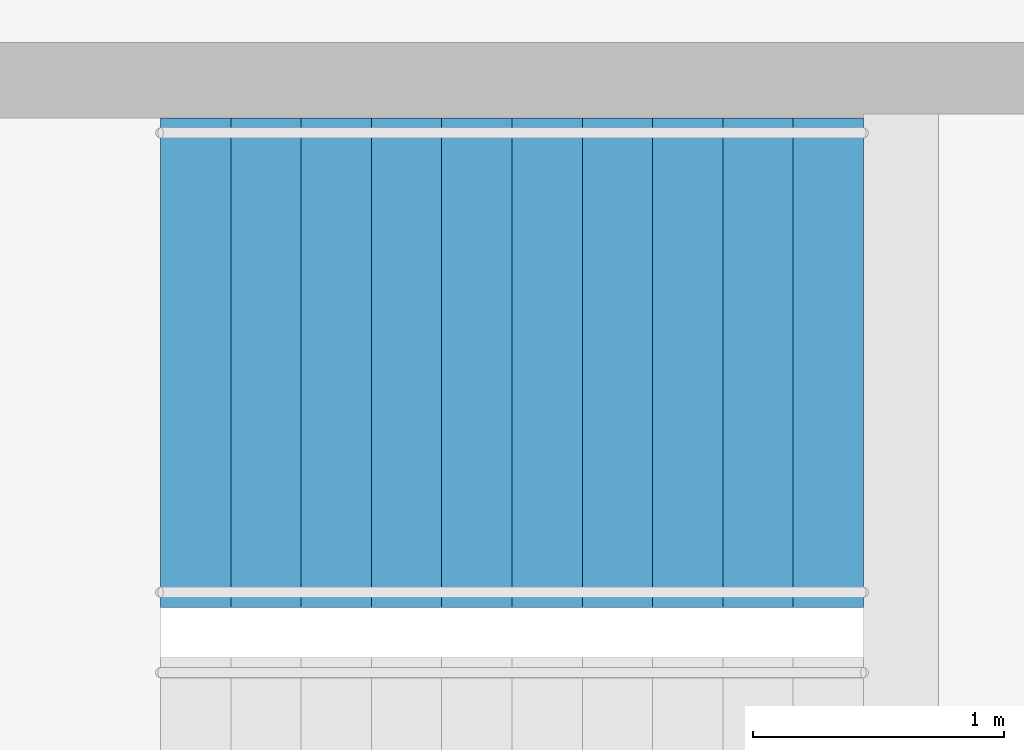
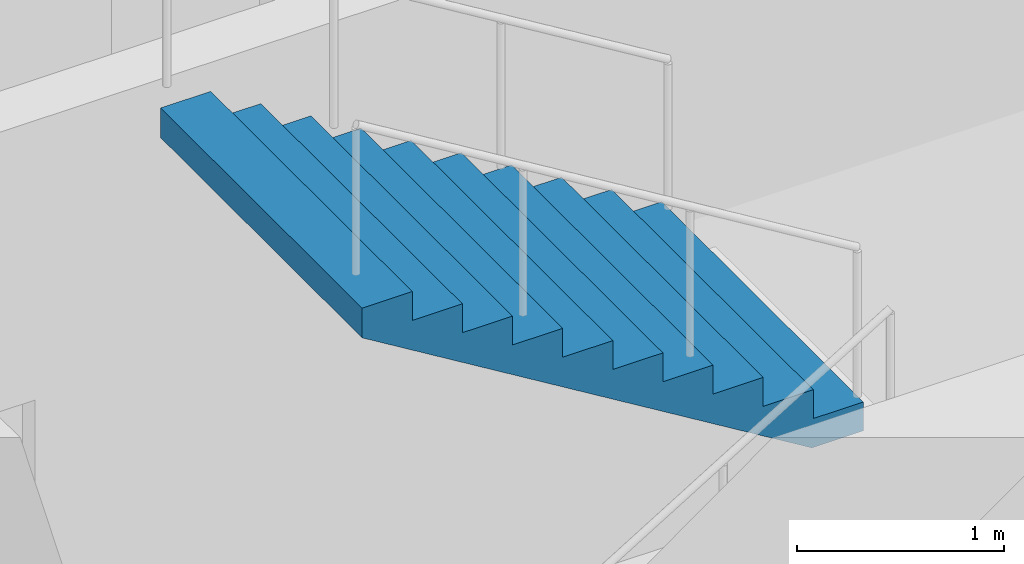
# One storey, part 20 of 23: 1 stair flight, 1 element without a shape of its own.
"""IFC4 building model written with IfcOpenShell, lengths in metres."""

from ifc_helpers import new_model, si_unit, direction, frame, origin, place, context, subcontext, project, spatial, triangles, material, type_object, element, aggregate, save


model = new_model("IFC4")

# Units and contexts
model_context = context("Model", 3, precision=1e-05, world=origin(), true_north=direction((0.0, 1.0)))
body_context = subcontext(model_context, "Body", "Model", "MODEL_VIEW")
ifc_project = project(units=[si_unit("LENGTHUNIT", "METRE"), si_unit("AREAUNIT", "SQUARE_METRE"), si_unit("VOLUMEUNIT", "CUBIC_METRE"), si_unit("PLANEANGLEUNIT", "RADIAN"), si_unit("MASSUNIT", "GRAM", prefix="KILO")], contexts=[model_context])

# Site, building, storey
site_placement = place(None, origin())
site = spatial("IfcSite", under=ifc_project, at=site_placement, CompositionType="ELEMENT")
building_placement = place(site_placement, origin())
building = spatial("IfcBuilding", under=site, at=building_placement, Name="Orbita Commons", CompositionType="ELEMENT")
storey_placement = place(building_placement, frame((0.0, 0.0, 254.050048828125)))
storey = spatial("IfcBuildingStorey", under=building, at=storey_placement, Name="L63", CompositionType="ELEMENT", Elevation=254.050048828125)

# Stair, stair flight
ifc_material_1 = material(Name="Precast concrete C40/50", Category="concrete")
stair_type = type_object("IfcStairType", Name="Exit stair S1 2 flights 11 risers 170", PredefinedType="HALF_TURN_STAIR", material=ifc_material_1)
stair_placement = place(storey_placement, origin())
stair = element("IfcStair", 1, at=stair_placement, inside=storey, type_object=stair_type, Name="Exit stair S1 L63", PredefinedType="HALF_TURN_STAIR")
ifc_material_2 = material(Name="Precast concrete C40/50", Category="concrete")
stair_flight_type = type_object("IfcStairFlightType", Name="Stair flight 11 risers 170 x 280", PredefinedType="STRAIGHT", material=ifc_material_2)
stair_flight_placement = place(storey_placement, frame((23.25, 29.27490234375, 1.875), z_axis=(0.0, 0.0, 1.0), x_axis=(-1.0, 0.0, 0.0)))
stair_flight = element("IfcStairFlight", 2, at=stair_flight_placement, type_object=stair_flight_type, Name="S1 flight 2", NumberOfRisers=11, NumberOfTreads=10, PredefinedType="STRAIGHT", RiserHeight=0.170454545, TreadLength=0.28, context=body_context, shape_type="Tessellation", body=[
    triangles([(0.0, 0.974976, 0.0), (0.0, 0.974976, 0.021307), (0.0, 0.81248, 0.021307), (0.0, 0.81248, 0.0), (0.0, 0.649984, 0.021307), (0.0, 0.649984, 0.0), (0.0, 0.487488, 0.021307), (0.0, 0.487488, 0.0), (0.0, 0.324992, 0.021307), (0.0, 0.324992, 0.0), (0.0, 0.162496, 0.021307), (0.0, 0.162496, 0.0), (0.0, 0.0, 0.021307), (0.0, 0.0, 0.0), (0.0, -0.162496, 0.021307), (0.0, -0.162496, 0.0), (0.0, -0.324992, 0.021307), (0.0, -0.324992, 0.0), (0.0, -0.487488, 0.021307), (0.0, -0.487488, 0.0), (0.0, -0.649984, 0.021307), (0.0, -0.649984, 0.0), (0.0, -0.81248, 0.021307), (0.0, -0.81248, 0.0), (0.0, -0.974976, 0.021307), (0.0, -0.974976, 0.0), (0.0, 0.974976, 0.042614), (0.0, 0.81248, 0.042614), (0.0, 0.649984, 0.042614), (0.0, 0.487488, 0.042614), (0.0, 0.324992, 0.042614), (0.0, 0.162496, 0.042614), (0.0, 0.0, 0.042614), (0.0, -0.162496, 0.042614), (0.0, -0.324992, 0.042614), (0.0, -0.487488, 0.042614), (0.0, -0.649984, 0.042614), (0.0, -0.81248, 0.042614), (0.0, -0.974976, 0.042614), (0.0, 0.974976, 0.06392), (0.0, 0.81248, 0.06392), (0.0, 0.649984, 0.06392), (0.0, 0.487488, 0.06392), (0.0, 0.324992, 0.06392), (0.0, 0.162496, 0.06392), (0.0, 0.0, 0.06392), (0.0, -0.162496, 0.06392), (0.0, -0.324992, 0.06392), (0.0, -0.487488, 0.06392), (0.0, -0.649984, 0.06392), (0.0, -0.81248, 0.06392), (0.0, -0.974976, 0.06392), (0.0, 0.974976, 0.085227), (0.0, 0.81248, 0.085227), (0.0, 0.649984, 0.085227), (0.0, 0.487488, 0.085227), (0.0, 0.324992, 0.085227), (0.0, 0.162496, 0.085227), (0.0, 0.0, 0.085227), (0.0, -0.162496, 0.085227), (0.0, -0.324992, 0.085227), (0.0, -0.487488, 0.085227), (0.0, -0.649984, 0.085227), (0.0, -0.81248, 0.085227), (0.0, -0.974976, 0.085227), (0.0, 0.974976, 0.106534), (0.0, 0.81248, 0.106534), (0.0, 0.649984, 0.106534), (0.0, 0.487488, 0.106534), (0.0, 0.324992, 0.106534), (0.0, 0.162496, 0.106534), (0.0, 0.0, 0.106534), (0.0, -0.162496, 0.106534), (0.0, -0.324992, 0.106534), (0.0, -0.487488, 0.106534), (0.0, -0.649984, 0.106534), (0.0, -0.81248, 0.106534), (0.0, -0.974976, 0.106534), (0.0, 0.974976, 0.127841), (0.0, 0.81248, 0.127841), (0.0, 0.649984, 0.127841), (0.0, 0.487488, 0.127841), (0.0, 0.324992, 0.127841), (0.0, 0.162496, 0.127841), (0.0, 0.0, 0.127841), (0.0, -0.162496, 0.127841), (0.0, -0.324992, 0.127841), (0.0, -0.487488, 0.127841), (0.0, -0.649984, 0.127841), (0.0, -0.81248, 0.127841), (0.0, -0.974976, 0.127841), (0.0, 0.974976, 0.149148), (0.0, 0.81248, 0.149148), (0.0, 0.649984, 0.149148), (0.0, 0.487488, 0.149148), (0.0, 0.324992, 0.149148), (0.0, 0.162496, 0.149148), (0.0, 0.0, 0.149148), (0.0, -0.162496, 0.149148), (0.0, -0.324992, 0.149148), (0.0, -0.487488, 0.149148), (0.0, -0.649984, 0.149148), (0.0, -0.81248, 0.149148), (0.0, -0.974976, 0.149148), (0.0, 0.974976, 0.170455), (0.0, 0.81248, 0.170455), (0.0, 0.649984, 0.170455), (0.0, 0.487488, 0.170455), (0.0, 0.324992, 0.170455), (0.0, 0.162496, 0.170455), (0.0, 0.0, 0.170455), (0.0, -0.162496, 0.170455), (0.0, -0.324992, 0.170455), (0.0, -0.487488, 0.170455), (0.0, -0.649984, 0.170455), (0.0, -0.81248, 0.170455), (0.0, -0.974976, 0.170455), (0.28, 0.974976, 0.170455), (0.28, 0.81248, 0.170455), (0.28, 0.649984, 0.170455), (0.28, 0.487488, 0.170455), (0.28, 0.324992, 0.170455), (0.28, 0.162496, 0.170455), (0.28, 0.0, 0.170455), (0.28, -0.162496, 0.170455), (0.28, -0.324992, 0.170455), (0.28, -0.487488, 0.170455), (0.28, -0.649984, 0.170455), (0.28, -0.81248, 0.170455), (0.28, -0.974976, 0.170455), (0.28, 0.974976, 0.340909), (0.28, 0.81248, 0.340909), (0.28, 0.649984, 0.340909), (0.28, 0.487488, 0.340909), (0.28, 0.324992, 0.340909), (0.28, 0.162496, 0.340909), (0.28, 0.0, 0.340909), (0.28, -0.162496, 0.340909), (0.28, -0.324992, 0.340909), (0.28, -0.487488, 0.340909), (0.28, -0.649984, 0.340909), (0.28, -0.81248, 0.340909), (0.28, -0.974976, 0.340909), (0.56, 0.974976, 0.340909), (0.56, 0.81248, 0.340909), (0.56, 0.649984, 0.340909), (0.56, 0.487488, 0.340909), (0.56, 0.324992, 0.340909), (0.56, 0.162496, 0.340909), (0.56, 0.0, 0.340909), (0.56, -0.162496, 0.340909), (0.56, -0.324992, 0.340909), (0.56, -0.487488, 0.340909), (0.56, -0.649984, 0.340909), (0.56, -0.81248, 0.340909), (0.56, -0.974976, 0.340909), (0.56, 0.974976, 0.511364), (0.56, 0.81248, 0.511364), (0.56, 0.649984, 0.511364), (0.56, 0.487488, 0.511364), (0.56, 0.324992, 0.511364), (0.56, 0.162496, 0.511364), (0.56, 0.0, 0.511364), (0.56, -0.162496, 0.511364), (0.56, -0.324992, 0.511364), (0.56, -0.487488, 0.511364), (0.56, -0.649984, 0.511364), (0.56, -0.81248, 0.511364), (0.56, -0.974976, 0.511364), (0.84, 0.974976, 0.511364), (0.84, 0.81248, 0.511364), (0.84, 0.649984, 0.511364), (0.84, 0.487488, 0.511364), (0.84, 0.324992, 0.511364), (0.84, 0.162496, 0.511364), (0.84, 0.0, 0.511364), (0.84, -0.162496, 0.511364), (0.84, -0.324992, 0.511364), (0.84, -0.487488, 0.511364), (0.84, -0.649984, 0.511364), (0.84, -0.81248, 0.511364), (0.84, -0.974976, 0.511364), (0.84, 0.974976, 0.681818), (0.84, 0.81248, 0.681818), (0.84, 0.649984, 0.681818), (0.84, 0.487488, 0.681818), (0.84, 0.324992, 0.681818), (0.84, 0.162496, 0.681818), (0.84, 0.0, 0.681818), (0.84, -0.162496, 0.681818), (0.84, -0.324992, 0.681818), (0.84, -0.487488, 0.681818), (0.84, -0.649984, 0.681818), (0.84, -0.81248, 0.681818), (0.84, -0.974976, 0.681818), (1.12, 0.974976, 0.681818), (1.12, 0.81248, 0.681818), (1.12, 0.649984, 0.681818), (1.12, 0.487488, 0.681818), (1.12, 0.324992, 0.681818), (1.12, 0.162496, 0.681818), (1.12, 0.0, 0.681818), (1.12, -0.162496, 0.681818), (1.12, -0.324992, 0.681818), (1.12, -0.487488, 0.681818), (1.12, -0.649984, 0.681818), (1.12, -0.81248, 0.681818), (1.12, -0.974976, 0.681818), (1.12, 0.974976, 0.852273), (1.12, 0.81248, 0.852273), (1.12, 0.649984, 0.852273), (1.12, 0.487488, 0.852273), (1.12, 0.324992, 0.852273), (1.12, 0.162496, 0.852273), (1.12, 0.0, 0.852273), (1.12, -0.162496, 0.852273), (1.12, -0.324992, 0.852273), (1.12, -0.487488, 0.852273), (1.12, -0.649984, 0.852273), (1.12, -0.81248, 0.852273), (1.12, -0.974976, 0.852273), (1.4, 0.974976, 0.852273), (1.4, 0.81248, 0.852273), (1.4, 0.649984, 0.852273), (1.4, 0.487488, 0.852273), (1.4, 0.324992, 0.852273), (1.4, 0.162496, 0.852273), (1.4, 0.0, 0.852273), (1.4, -0.162496, 0.852273), (1.4, -0.324992, 0.852273), (1.4, -0.487488, 0.852273), (1.4, -0.649984, 0.852273), (1.4, -0.81248, 0.852273), (1.4, -0.974976, 0.852273), (1.4, 0.974976, 1.022727), (1.4, 0.81248, 1.022727), (1.4, 0.649984, 1.022727), (1.4, 0.487488, 1.022727), (1.4, 0.324992, 1.022727), (1.4, 0.162496, 1.022727), (1.4, 0.0, 1.022727), (1.4, -0.162496, 1.022727), (1.4, -0.324992, 1.022727), (1.4, -0.487488, 1.022727), (1.4, -0.649984, 1.022727), (1.4, -0.81248, 1.022727), (1.4, -0.974976, 1.022727), (1.68, 0.974976, 1.022727), (1.68, 0.81248, 1.022727), (1.68, 0.649984, 1.022727), (1.68, 0.487488, 1.022727), (1.68, 0.324992, 1.022727), (1.68, 0.162496, 1.022727), (1.68, 0.0, 1.022727), (1.68, -0.162496, 1.022727), (1.68, -0.324992, 1.022727), (1.68, -0.487488, 1.022727), (1.68, -0.649984, 1.022727), (1.68, -0.81248, 1.022727), (1.68, -0.974976, 1.022727), (1.68, 0.974976, 1.193182), (1.68, 0.81248, 1.193182), (1.68, 0.649984, 1.193182), (1.68, 0.487488, 1.193182), (1.68, 0.324992, 1.193182), (1.68, 0.162496, 1.193182), (1.68, 0.0, 1.193182), (1.68, -0.162496, 1.193182), (1.68, -0.324992, 1.193182), (1.68, -0.487488, 1.193182), (1.68, -0.649984, 1.193182), (1.68, -0.81248, 1.193182), (1.68, -0.974976, 1.193182), (1.96, 0.974976, 1.193182), (1.96, 0.81248, 1.193182), (1.96, 0.649984, 1.193182), (1.96, 0.487488, 1.193182), (1.96, 0.324992, 1.193182), (1.96, 0.162496, 1.193182), (1.96, 0.0, 1.193182), (1.96, -0.162496, 1.193182), (1.96, -0.324992, 1.193182), (1.96, -0.487488, 1.193182), (1.96, -0.649984, 1.193182), (1.96, -0.81248, 1.193182), (1.96, -0.974976, 1.193182), (1.96, 0.974976, 1.363636), (1.96, 0.81248, 1.363636), (1.96, 0.649984, 1.363636), (1.96, 0.487488, 1.363636), (1.96, 0.324992, 1.363636), (1.96, 0.162496, 1.363636), (1.96, 0.0, 1.363636), (1.96, -0.162496, 1.363636), (1.96, -0.324992, 1.363636), (1.96, -0.487488, 1.363636), (1.96, -0.649984, 1.363636), (1.96, -0.81248, 1.363636), (1.96, -0.974976, 1.363636), (2.24, 0.974976, 1.363636), (2.24, 0.81248, 1.363636), (2.24, 0.649984, 1.363636), (2.24, 0.487488, 1.363636), (2.24, 0.324992, 1.363636), (2.24, 0.162496, 1.363636), (2.24, 0.0, 1.363636), (2.24, -0.162496, 1.363636), (2.24, -0.324992, 1.363636), (2.24, -0.487488, 1.363636), (2.24, -0.649984, 1.363636), (2.24, -0.81248, 1.363636), (2.24, -0.974976, 1.363636), (2.24, 0.974976, 1.534091), (2.24, 0.81248, 1.534091), (2.24, 0.649984, 1.534091), (2.24, 0.487488, 1.534091), (2.24, 0.324992, 1.534091), (2.24, 0.162496, 1.534091), (2.24, 0.0, 1.534091), (2.24, -0.162496, 1.534091), (2.24, -0.324992, 1.534091), (2.24, -0.487488, 1.534091), (2.24, -0.649984, 1.534091), (2.24, -0.81248, 1.534091), (2.24, -0.974976, 1.534091), (2.52, 0.974976, 1.534091), (2.52, 0.81248, 1.534091), (2.52, 0.649984, 1.534091), (2.52, 0.487488, 1.534091), (2.52, 0.324992, 1.534091), (2.52, 0.162496, 1.534091), (2.52, 0.0, 1.534091), (2.52, -0.162496, 1.534091), (2.52, -0.324992, 1.534091), (2.52, -0.487488, 1.534091), (2.52, -0.649984, 1.534091), (2.52, -0.81248, 1.534091), (2.52, -0.974976, 1.534091), (2.52, 0.974976, 1.704545), (2.52, 0.81248, 1.704545), (2.52, 0.649984, 1.704545), (2.52, 0.487488, 1.704545), (2.52, 0.324992, 1.704545), (2.52, 0.162496, 1.704545), (2.52, 0.0, 1.704545), (2.52, -0.162496, 1.704545), (2.52, -0.324992, 1.704545), (2.52, -0.487488, 1.704545), (2.52, -0.649984, 1.704545), (2.52, -0.81248, 1.704545), (2.52, -0.974976, 1.704545), (2.8, 0.974976, 1.704545), (2.8, 0.81248, 1.704545), (2.8, 0.649984, 1.704545), (2.8, 0.487488, 1.704545), (2.8, 0.324992, 1.704545), (2.8, 0.162496, 1.704545), (2.8, 0.0, 1.704545), (2.8, -0.162496, 1.704545), (2.8, -0.324992, 1.704545), (2.8, -0.487488, 1.704545), (2.8, -0.649984, 1.704545), (2.8, -0.81248, 1.704545), (2.8, -0.974976, 1.704545), (2.8, 0.974976, 1.682609), (2.8, 0.81248, 1.682609), (2.8, 0.649984, 1.682609), (2.8, 0.487488, 1.682609), (2.8, 0.324992, 1.682609), (2.8, 0.162496, 1.682609), (2.8, 0.0, 1.682609), (2.8, -0.162496, 1.682609), (2.8, -0.324992, 1.682609), (2.8, -0.487488, 1.682609), (2.8, -0.649984, 1.682609), (2.8, -0.81248, 1.682609), (2.8, -0.974976, 1.682609), (2.8, 0.974976, 1.660672), (2.8, 0.81248, 1.660672), (2.8, 0.649984, 1.660672), (2.8, 0.487488, 1.660672), (2.8, 0.324992, 1.660672), (2.8, 0.162496, 1.660672), (2.8, 0.0, 1.660672), (2.8, -0.162496, 1.660672), (2.8, -0.324992, 1.660672), (2.8, -0.487488, 1.660672), (2.8, -0.649984, 1.660672), (2.8, -0.81248, 1.660672), (2.8, -0.974976, 1.660672), (2.8, 0.974976, 1.638735), (2.8, 0.81248, 1.638735), (2.8, 0.649984, 1.638735), (2.8, 0.487488, 1.638735), (2.8, 0.324992, 1.638735), (2.8, 0.162496, 1.638735), (2.8, 0.0, 1.638735), (2.8, -0.162496, 1.638735), (2.8, -0.324992, 1.638735), (2.8, -0.487488, 1.638735), (2.8, -0.649984, 1.638735), (2.8, -0.81248, 1.638735), (2.8, -0.974976, 1.638735), (2.8, 0.974976, 1.616798), (2.8, 0.81248, 1.616798), (2.8, 0.649984, 1.616798), (2.8, 0.487488, 1.616798), (2.8, 0.324992, 1.616798), (2.8, 0.162496, 1.616798), (2.8, 0.0, 1.616798), (2.8, -0.162496, 1.616798), (2.8, -0.324992, 1.616798), (2.8, -0.487488, 1.616798), (2.8, -0.649984, 1.616798), (2.8, -0.81248, 1.616798), (2.8, -0.974976, 1.616798), (2.8, 0.974976, 1.594861), (2.8, 0.81248, 1.594861), (2.8, 0.649984, 1.594861), (2.8, 0.487488, 1.594861), (2.8, 0.324992, 1.594861), (2.8, 0.162496, 1.594861), (2.8, 0.0, 1.594861), (2.8, -0.162496, 1.594861), (2.8, -0.324992, 1.594861), (2.8, -0.487488, 1.594861), (2.8, -0.649984, 1.594861), (2.8, -0.81248, 1.594861), (2.8, -0.974976, 1.594861), (2.8, 0.974976, 1.572925), (2.8, 0.81248, 1.572925), (2.8, 0.649984, 1.572925), (2.8, 0.487488, 1.572925), (2.8, 0.324992, 1.572925), (2.8, 0.162496, 1.572925), (2.8, 0.0, 1.572925), (2.8, -0.162496, 1.572925), (2.8, -0.324992, 1.572925), (2.8, -0.487488, 1.572925), (2.8, -0.649984, 1.572925), (2.8, -0.81248, 1.572925), (2.8, -0.974976, 1.572925), (2.8, 0.974976, 1.550988), (2.8, 0.81248, 1.550988), (2.8, 0.649984, 1.550988), (2.8, 0.487488, 1.550988), (2.8, 0.324992, 1.550988), (2.8, 0.162496, 1.550988), (2.8, 0.0, 1.550988), (2.8, -0.162496, 1.550988), (2.8, -0.324992, 1.550988), (2.8, -0.487488, 1.550988), (2.8, -0.649984, 1.550988), (2.8, -0.81248, 1.550988), (2.8, -0.974976, 1.550988), (2.8, 0.974976, 1.529051), (2.8, 0.81248, 1.529051), (2.8, 0.649984, 1.529051), (2.8, 0.487488, 1.529051), (2.8, 0.324992, 1.529051), (2.8, 0.162496, 1.529051), (2.8, 0.0, 1.529051), (2.8, -0.162496, 1.529051), (2.8, -0.324992, 1.529051), (2.8, -0.487488, 1.529051), (2.8, -0.649984, 1.529051), (2.8, -0.81248, 1.529051), (2.8, -0.974976, 1.529051), (0.288279, 0.974976, 0.0), (0.288279, 0.81248, 0.0), (0.288279, 0.649984, 0.0), (0.288279, 0.487488, 0.0), (0.288279, 0.324992, 0.0), (0.288279, 0.162496, 0.0), (0.288279, 0.0, 0.0), (0.288279, -0.162496, 0.0), (0.288279, -0.324992, 0.0), (0.288279, -0.487488, 0.0), (0.288279, -0.649984, 0.0), (0.288279, -0.81248, 0.0), (0.288279, -0.974976, 0.0)], [[3, 2, 1], [4, 3, 1], [5, 3, 4], [6, 5, 4], [7, 5, 6], [8, 7, 6], [9, 7, 8], [10, 9, 8], [11, 9, 10], [12, 11, 10], [13, 11, 12], [14, 13, 12], [15, 13, 14], [16, 15, 14], [17, 15, 16], [18, 17, 16], [19, 17, 18], [20, 19, 18], [21, 19, 20], [22, 21, 20], [23, 21, 22], [24, 23, 22], [25, 23, 24], [26, 25, 24], [28, 27, 2], [3, 28, 2], [29, 28, 3], [5, 29, 3], [30, 29, 5], [7, 30, 5], [31, 30, 7], [9, 31, 7], [32, 31, 9], [11, 32, 9], [33, 32, 11], [13, 33, 11], [34, 33, 13], [15, 34, 13], [35, 34, 15], [17, 35, 15], [36, 35, 17], [19, 36, 17], [37, 36, 19], [21, 37, 19], [38, 37, 21], [23, 38, 21], [39, 38, 23], [25, 39, 23], [41, 40, 27], [28, 41, 27], [42, 41, 28], [29, 42, 28], [43, 42, 29], [30, 43, 29], [44, 43, 30], [31, 44, 30], [45, 44, 31], [32, 45, 31], [46, 45, 32], [33, 46, 32], [47, 46, 33], [34, 47, 33], [48, 47, 34], [35, 48, 34], [49, 48, 35], [36, 49, 35], [50, 49, 36], [37, 50, 36], [51, 50, 37], [38, 51, 37], [52, 51, 38], [39, 52, 38], [54, 53, 40], [41, 54, 40], [55, 54, 41], [42, 55, 41], [56, 55, 42], [43, 56, 42], [57, 56, 43], [44, 57, 43], [58, 57, 44], [45, 58, 44], [59, 58, 45], [46, 59, 45], [60, 59, 46], [47, 60, 46], [61, 60, 47], [48, 61, 47], [62, 61, 48], [49, 62, 48], [63, 62, 49], [50, 63, 49], [64, 63, 50], [51, 64, 50], [65, 64, 51], [52, 65, 51], [67, 66, 53], [54, 67, 53], [68, 67, 54], [55, 68, 54], [69, 68, 55], [56, 69, 55], [70, 69, 56], [57, 70, 56], [71, 70, 57], [58, 71, 57], [72, 71, 58], [59, 72, 58], [73, 72, 59], [60, 73, 59], [74, 73, 60], [61, 74, 60], [75, 74, 61], [62, 75, 61], [76, 75, 62], [63, 76, 62], [77, 76, 63], [64, 77, 63], [78, 77, 64], [65, 78, 64], [80, 79, 66], [67, 80, 66], [81, 80, 67], [68, 81, 67], [82, 81, 68], [69, 82, 68], [83, 82, 69], [70, 83, 69], [84, 83, 70], [71, 84, 70], [85, 84, 71], [72, 85, 71], [86, 85, 72], [73, 86, 72], [87, 86, 73], [74, 87, 73], [88, 87, 74], [75, 88, 74], [89, 88, 75], [76, 89, 75], [90, 89, 76], [77, 90, 76], [91, 90, 77], [78, 91, 77], [93, 92, 79], [80, 93, 79], [94, 93, 80], [81, 94, 80], [95, 94, 81], [82, 95, 81], [96, 95, 82], [83, 96, 82], [97, 96, 83], [84, 97, 83], [98, 97, 84], [85, 98, 84], [99, 98, 85], [86, 99, 85], [100, 99, 86], [87, 100, 86], [101, 100, 87], [88, 101, 87], [102, 101, 88], [89, 102, 88], [103, 102, 89], [90, 103, 89], [104, 103, 90], [91, 104, 90], [106, 105, 92], [93, 106, 92], [107, 106, 93], [94, 107, 93], [108, 107, 94], [95, 108, 94], [109, 108, 95], [96, 109, 95], [110, 109, 96], [97, 110, 96], [111, 110, 97], [98, 111, 97], [112, 111, 98], [99, 112, 98], [113, 112, 99], [100, 113, 99], [114, 113, 100], [101, 114, 100], [115, 114, 101], [102, 115, 101], [116, 115, 102], [103, 116, 102], [117, 116, 103], [104, 117, 103], [119, 118, 105], [106, 119, 105], [120, 119, 106], [107, 120, 106], [121, 120, 107], [108, 121, 107], [122, 121, 108], [109, 122, 108], [123, 122, 109], [110, 123, 109], [124, 123, 110], [111, 124, 110], [125, 124, 111], [112, 125, 111], [126, 125, 112], [113, 126, 112], [127, 126, 113], [114, 127, 113], [128, 127, 114], [115, 128, 114], [129, 128, 115], [116, 129, 115], [130, 129, 116], [117, 130, 116], [132, 131, 118], [119, 132, 118], [133, 132, 119], [120, 133, 119], [134, 133, 120], [121, 134, 120], [135, 134, 121], [122, 135, 121], [136, 135, 122], [123, 136, 122], [137, 136, 123], [124, 137, 123], [138, 137, 124], [125, 138, 124], [139, 138, 125], [126, 139, 125], [140, 139, 126], [127, 140, 126], [141, 140, 127], [128, 141, 127], [142, 141, 128], [129, 142, 128], [143, 142, 129], [130, 143, 129], [145, 144, 131], [132, 145, 131], [146, 145, 132], [133, 146, 132], [147, 146, 133], [134, 147, 133], [148, 147, 134], [135, 148, 134], [149, 148, 135], [136, 149, 135], [150, 149, 136], [137, 150, 136], [151, 150, 137], [138, 151, 137], [152, 151, 138], [139, 152, 138], [153, 152, 139], [140, 153, 139], [154, 153, 140], [141, 154, 140], [155, 154, 141], [142, 155, 141], [156, 155, 142], [143, 156, 142], [158, 157, 144], [145, 158, 144], [159, 158, 145], [146, 159, 145], [160, 159, 146], [147, 160, 146], [161, 160, 147], [148, 161, 147], [162, 161, 148], [149, 162, 148], [163, 162, 149], [150, 163, 149], [164, 163, 150], [151, 164, 150], [165, 164, 151], [152, 165, 151], [166, 165, 152], [153, 166, 152], [167, 166, 153], [154, 167, 153], [168, 167, 154], [155, 168, 154], [169, 168, 155], [156, 169, 155], [171, 170, 157], [158, 171, 157], [172, 171, 158], [159, 172, 158], [173, 172, 159], [160, 173, 159], [174, 173, 160], [161, 174, 160], [175, 174, 161], [162, 175, 161], [176, 175, 162], [163, 176, 162], [177, 176, 163], [164, 177, 163], [178, 177, 164], [165, 178, 164], [179, 178, 165], [166, 179, 165], [180, 179, 166], [167, 180, 166], [181, 180, 167], [168, 181, 167], [182, 181, 168], [169, 182, 168], [184, 183, 170], [171, 184, 170], [185, 184, 171], [172, 185, 171], [186, 185, 172], [173, 186, 172], [187, 186, 173], [174, 187, 173], [188, 187, 174], [175, 188, 174], [189, 188, 175], [176, 189, 175], [190, 189, 176], [177, 190, 176], [191, 190, 177], [178, 191, 177], [192, 191, 178], [179, 192, 178], [193, 192, 179], [180, 193, 179], [194, 193, 180], [181, 194, 180], [195, 194, 181], [182, 195, 181], [197, 196, 183], [184, 197, 183], [198, 197, 184], [185, 198, 184], [199, 198, 185], [186, 199, 185], [200, 199, 186], [187, 200, 186], [201, 200, 187], [188, 201, 187], [202, 201, 188], [189, 202, 188], [203, 202, 189], [190, 203, 189], [204, 203, 190], [191, 204, 190], [205, 204, 191], [192, 205, 191], [206, 205, 192], [193, 206, 192], [207, 206, 193], [194, 207, 193], [208, 207, 194], [195, 208, 194], [210, 209, 196], [197, 210, 196], [211, 210, 197], [198, 211, 197], [212, 211, 198], [199, 212, 198], [213, 212, 199], [200, 213, 199], [214, 213, 200], [201, 214, 200], [215, 214, 201], [202, 215, 201], [216, 215, 202], [203, 216, 202], [217, 216, 203], [204, 217, 203], [218, 217, 204], [205, 218, 204], [219, 218, 205], [206, 219, 205], [220, 219, 206], [207, 220, 206], [221, 220, 207], [208, 221, 207], [223, 222, 209], [210, 223, 209], [224, 223, 210], [211, 224, 210], [225, 224, 211], [212, 225, 211], [226, 225, 212], [213, 226, 212], [227, 226, 213], [214, 227, 213], [228, 227, 214], [215, 228, 214], [229, 228, 215], [216, 229, 215], [230, 229, 216], [217, 230, 216], [231, 230, 217], [218, 231, 217], [232, 231, 218], [219, 232, 218], [233, 232, 219], [220, 233, 219], [234, 233, 220], [221, 234, 220], [236, 235, 222], [223, 236, 222], [237, 236, 223], [224, 237, 223], [238, 237, 224], [225, 238, 224], [239, 238, 225], [226, 239, 225], [240, 239, 226], [227, 240, 226], [241, 240, 227], [228, 241, 227], [242, 241, 228], [229, 242, 228], [243, 242, 229], [230, 243, 229], [244, 243, 230], [231, 244, 230], [245, 244, 231], [232, 245, 231], [246, 245, 232], [233, 246, 232], [247, 246, 233], [234, 247, 233], [249, 248, 235], [236, 249, 235], [250, 249, 236], [237, 250, 236], [251, 250, 237], [238, 251, 237], [252, 251, 238], [239, 252, 238], [253, 252, 239], [240, 253, 239], [254, 253, 240], [241, 254, 240], [255, 254, 241], [242, 255, 241], [256, 255, 242], [243, 256, 242], [257, 256, 243], [244, 257, 243], [258, 257, 244], [245, 258, 244], [259, 258, 245], [246, 259, 245], [260, 259, 246], [247, 260, 246], [262, 261, 248], [249, 262, 248], [263, 262, 249], [250, 263, 249], [264, 263, 250], [251, 264, 250], [265, 264, 251], [252, 265, 251], [266, 265, 252], [253, 266, 252], [267, 266, 253], [254, 267, 253], [268, 267, 254], [255, 268, 254], [269, 268, 255], [256, 269, 255], [270, 269, 256], [257, 270, 256], [271, 270, 257], [258, 271, 257], [272, 271, 258], [259, 272, 258], [273, 272, 259], [260, 273, 259], [275, 274, 261], [262, 275, 261], [276, 275, 262], [263, 276, 262], [277, 276, 263], [264, 277, 263], [278, 277, 264], [265, 278, 264], [279, 278, 265], [266, 279, 265], [280, 279, 266], [267, 280, 266], [281, 280, 267], [268, 281, 267], [282, 281, 268], [269, 282, 268], [283, 282, 269], [270, 283, 269], [284, 283, 270], [271, 284, 270], [285, 284, 271], [272, 285, 271], [286, 285, 272], [273, 286, 272], [288, 287, 274], [275, 288, 274], [289, 288, 275], [276, 289, 275], [290, 289, 276], [277, 290, 276], [291, 290, 277], [278, 291, 277], [292, 291, 278], [279, 292, 278], [293, 292, 279], [280, 293, 279], [294, 293, 280], [281, 294, 280], [295, 294, 281], [282, 295, 281], [296, 295, 282], [283, 296, 282], [297, 296, 283], [284, 297, 283], [298, 297, 284], [285, 298, 284], [299, 298, 285], [286, 299, 285], [301, 300, 287], [288, 301, 287], [302, 301, 288], [289, 302, 288], [303, 302, 289], [290, 303, 289], [304, 303, 290], [291, 304, 290], [305, 304, 291], [292, 305, 291], [306, 305, 292], [293, 306, 292], [307, 306, 293], [294, 307, 293], [308, 307, 294], [295, 308, 294], [309, 308, 295], [296, 309, 295], [310, 309, 296], [297, 310, 296], [311, 310, 297], [298, 311, 297], [312, 311, 298], [299, 312, 298], [314, 313, 300], [301, 314, 300], [315, 314, 301], [302, 315, 301], [316, 315, 302], [303, 316, 302], [317, 316, 303], [304, 317, 303], [318, 317, 304], [305, 318, 304], [319, 318, 305], [306, 319, 305], [320, 319, 306], [307, 320, 306], [321, 320, 307], [308, 321, 307], [322, 321, 308], [309, 322, 308], [323, 322, 309], [310, 323, 309], [324, 323, 310], [311, 324, 310], [325, 324, 311], [312, 325, 311], [327, 326, 313], [314, 327, 313], [328, 327, 314], [315, 328, 314], [329, 328, 315], [316, 329, 315], [330, 329, 316], [317, 330, 316], [331, 330, 317], [318, 331, 317], [332, 331, 318], [319, 332, 318], [333, 332, 319], [320, 333, 319], [334, 333, 320], [321, 334, 320], [335, 334, 321], [322, 335, 321], [336, 335, 322], [323, 336, 322], [337, 336, 323], [324, 337, 323], [338, 337, 324], [325, 338, 324], [340, 339, 326], [327, 340, 326], [341, 340, 327], [328, 341, 327], [342, 341, 328], [329, 342, 328], [343, 342, 329], [330, 343, 329], [344, 343, 330], [331, 344, 330], [345, 344, 331], [332, 345, 331], [346, 345, 332], [333, 346, 332], [347, 346, 333], [334, 347, 333], [348, 347, 334], [335, 348, 334], [349, 348, 335], [336, 349, 335], [350, 349, 336], [337, 350, 336], [351, 350, 337], [338, 351, 337], [353, 352, 339], [340, 353, 339], [354, 353, 340], [341, 354, 340], [355, 354, 341], [342, 355, 341], [356, 355, 342], [343, 356, 342], [357, 356, 343], [344, 357, 343], [358, 357, 344], [345, 358, 344], [359, 358, 345], [346, 359, 345], [360, 359, 346], [347, 360, 346], [361, 360, 347], [348, 361, 347], [362, 361, 348], [349, 362, 348], [363, 362, 349], [350, 363, 349], [364, 363, 350], [351, 364, 350], [366, 365, 352], [353, 366, 352], [367, 366, 353], [354, 367, 353], [368, 367, 354], [355, 368, 354], [369, 368, 355], [356, 369, 355], [370, 369, 356], [357, 370, 356], [371, 370, 357], [358, 371, 357], [372, 371, 358], [359, 372, 358], [373, 372, 359], [360, 373, 359], [374, 373, 360], [361, 374, 360], [375, 374, 361], [362, 375, 361], [376, 375, 362], [363, 376, 362], [377, 376, 363], [364, 377, 363], [379, 378, 365], [366, 379, 365], [380, 379, 366], [367, 380, 366], [381, 380, 367], [368, 381, 367], [382, 381, 368], [369, 382, 368], [383, 382, 369], [370, 383, 369], [384, 383, 370], [371, 384, 370], [385, 384, 371], [372, 385, 371], [386, 385, 372], [373, 386, 372], [387, 386, 373], [374, 387, 373], [388, 387, 374], [375, 388, 374], [389, 388, 375], [376, 389, 375], [390, 389, 376], [377, 390, 376], [392, 391, 378], [379, 392, 378], [393, 392, 379], [380, 393, 379], [394, 393, 380], [381, 394, 380], [395, 394, 381], [382, 395, 381], [396, 395, 382], [383, 396, 382], [397, 396, 383], [384, 397, 383], [398, 397, 384], [385, 398, 384], [399, 398, 385], [386, 399, 385], [400, 399, 386], [387, 400, 386], [401, 400, 387], [388, 401, 387], [402, 401, 388], [389, 402, 388], [403, 402, 389], [390, 403, 389], [405, 404, 391], [392, 405, 391], [406, 405, 392], [393, 406, 392], [407, 406, 393], [394, 407, 393], [408, 407, 394], [395, 408, 394], [409, 408, 395], [396, 409, 395], [410, 409, 396], [397, 410, 396], [411, 410, 397], [398, 411, 397], [412, 411, 398], [399, 412, 398], [413, 412, 399], [400, 413, 399], [414, 413, 400], [401, 414, 400], [415, 414, 401], [402, 415, 401], [416, 415, 402], [403, 416, 402], [418, 417, 404], [405, 418, 404], [419, 418, 405], [406, 419, 405], [420, 419, 406], [407, 420, 406], [421, 420, 407], [408, 421, 407], [422, 421, 408], [409, 422, 408], [423, 422, 409], [410, 423, 409], [424, 423, 410], [411, 424, 410], [425, 424, 411], [412, 425, 411], [426, 425, 412], [413, 426, 412], [427, 426, 413], [414, 427, 413], [428, 427, 414], [415, 428, 414], [429, 428, 415], [416, 429, 415], [431, 430, 417], [418, 431, 417], [432, 431, 418], [419, 432, 418], [433, 432, 419], [420, 433, 419], [434, 433, 420], [421, 434, 420], [435, 434, 421], [422, 435, 421], [436, 435, 422], [423, 436, 422], [437, 436, 423], [424, 437, 423], [438, 437, 424], [425, 438, 424], [439, 438, 425], [426, 439, 425], [440, 439, 426], [427, 440, 426], [441, 440, 427], [428, 441, 427], [442, 441, 428], [429, 442, 428], [444, 443, 430], [431, 444, 430], [445, 444, 431], [432, 445, 431], [446, 445, 432], [433, 446, 432], [447, 446, 433], [434, 447, 433], [448, 447, 434], [435, 448, 434], [449, 448, 435], [436, 449, 435], [450, 449, 436], [437, 450, 436], [451, 450, 437], [438, 451, 437], [452, 451, 438], [439, 452, 438], [453, 452, 439], [440, 453, 439], [454, 453, 440], [441, 454, 440], [455, 454, 441], [442, 455, 441], [457, 456, 443], [444, 457, 443], [458, 457, 444], [445, 458, 444], [459, 458, 445], [446, 459, 445], [460, 459, 446], [447, 460, 446], [461, 460, 447], [448, 461, 447], [462, 461, 448], [449, 462, 448], [463, 462, 449], [450, 463, 449], [464, 463, 450], [451, 464, 450], [465, 464, 451], [452, 465, 451], [466, 465, 452], [453, 466, 452], [467, 466, 453], [454, 467, 453], [468, 467, 454], [455, 468, 454], [470, 469, 456], [457, 470, 456], [471, 470, 457], [458, 471, 457], [472, 471, 458], [459, 472, 458], [473, 472, 459], [460, 473, 459], [474, 473, 460], [461, 474, 460], [475, 474, 461], [462, 475, 461], [476, 475, 462], [463, 476, 462], [477, 476, 463], [464, 477, 463], [478, 477, 464], [465, 478, 464], [479, 478, 465], [466, 479, 465], [480, 479, 466], [467, 480, 466], [481, 480, 467], [468, 481, 467], [4, 1, 469], [470, 4, 469], [6, 4, 470], [471, 6, 470], [8, 6, 471], [472, 8, 471], [10, 8, 472], [473, 10, 472], [12, 10, 473], [474, 12, 473], [14, 12, 474], [475, 14, 474], [16, 14, 475], [476, 16, 475], [18, 16, 476], [477, 18, 476], [20, 18, 477], [478, 20, 477], [22, 20, 478], [479, 22, 478], [24, 22, 479], [480, 24, 479], [26, 24, 480], [481, 26, 480], [456, 469, 1], [26, 481, 468], [443, 456, 1], [26, 468, 455], [430, 443, 1], [26, 455, 442], [417, 430, 1], [26, 442, 429], [404, 417, 1], [26, 429, 416], [391, 404, 1], [26, 416, 403], [378, 391, 1], [26, 403, 390], [365, 378, 1], [26, 390, 377], [339, 352, 365], [377, 364, 351], [326, 339, 365], [377, 351, 338], [300, 313, 326], [338, 325, 312], [300, 326, 365], [377, 338, 312], [274, 287, 300], [312, 299, 286], [274, 300, 365], [377, 312, 286], [248, 261, 274], [286, 273, 260], [248, 274, 365], [377, 286, 260], [222, 235, 248], [260, 247, 234], [222, 248, 365], [377, 260, 234], [196, 209, 222], [234, 221, 208], [196, 222, 365], [377, 234, 208], [170, 183, 196], [208, 195, 182], [170, 196, 365], [377, 208, 182], [144, 157, 170], [182, 169, 156], [144, 170, 365], [377, 182, 156], [118, 131, 144], [156, 143, 130], [118, 144, 365], [377, 156, 130], [118, 365, 1], [26, 377, 130], [92, 105, 118], [130, 117, 104], [79, 92, 118], [130, 104, 91], [66, 79, 118], [130, 91, 78], [53, 66, 118], [130, 78, 65], [40, 53, 118], [130, 65, 52], [27, 40, 118], [130, 52, 39], [2, 27, 118], [130, 39, 25], [1, 2, 118], [130, 25, 26]], closed=True),
])
aggregate(stair, [stair_flight])

save(model, "model.ifc")
